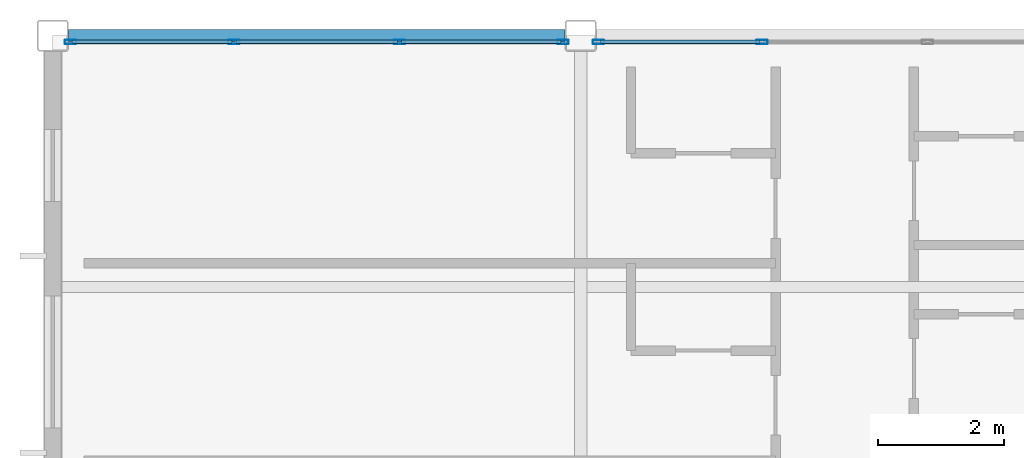
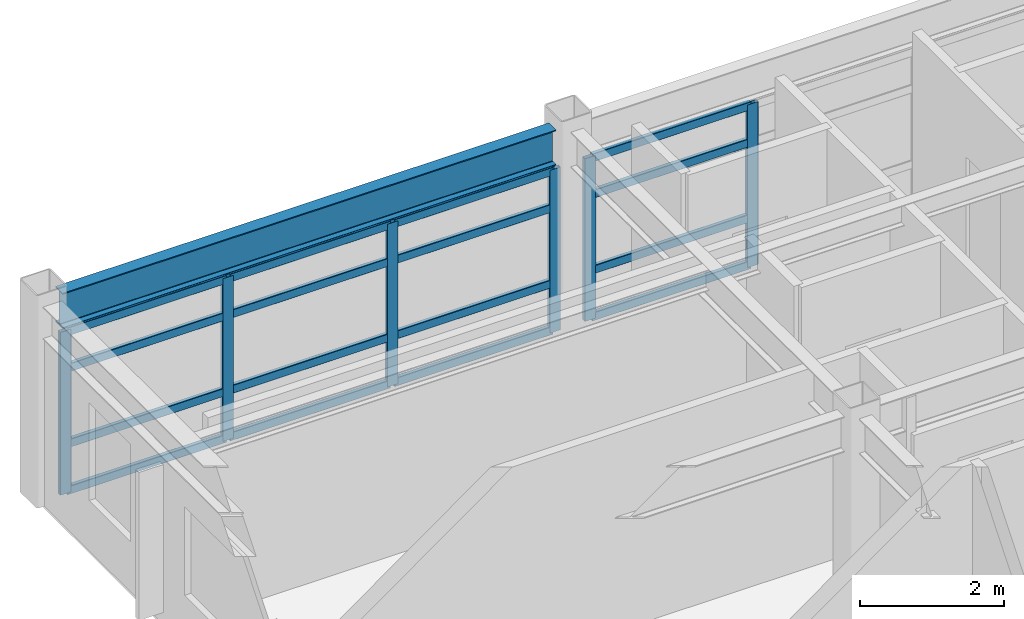
# One storey, part 18 of 35: 22 members, 1 beam, 2 elements without a shape of their own.
"""IFC4 building model written with IfcOpenShell, lengths in metres."""

import ifcopenshell
import ifcopenshell.guid

model = None  # the IFC model being written
_history = None  # IfcOwnerHistory: only IFC2X3 demands one
_inside = {}  # id of a spatial element -> (the spatial element, [elements in it])
_under = {}  # id of a project, library or spatial element -> (it, [spatial elements below it])
_declared = {}  # id of a project -> (the project, [libraries it declares])
_typed = {}  # id of a type object -> (the type object, [elements of that type])
_made_of = {}  # id of a material, layer set ... -> (it, [elements and type objects made of it])


def new_model(schema):
    """Start an empty IFC model of exactly this schema.

    Asked for "IFC4X3", IfcOpenShell would pick the latest addendum, in which some entities
    have other attributes; the version numbers below select the first issue.
    IFC2X3 requires an IfcOwnerHistory on every rooted entity: one is made here for all.
    """
    global model, _history
    if schema == "IFC4X3":
        model = ifcopenshell.file(schema_version=(4, 3, 0, 0))
    else:
        model = ifcopenshell.file(schema=schema)
    _inside.clear()
    _under.clear()
    _declared.clear()
    _typed.clear()
    _made_of.clear()
    _history = None
    if model.schema == "IFC2X3":
        org = make("IfcOrganization", Name="unknown")
        user = make(
            "IfcPersonAndOrganization",
            ThePerson=make("IfcPerson", FamilyName="unknown"),
            TheOrganization=org,
        )
        app = make(
            "IfcApplication",
            ApplicationDeveloper=org,
            Version="unknown",
            ApplicationFullName="unknown",
            ApplicationIdentifier="unknown",
        )
        _history = make(
            "IfcOwnerHistory",
            OwningUser=user,
            OwningApplication=app,
            ChangeAction="ADDED",
            CreationDate=0,
        )
    return model


def make(cls, **values):
    """One entity of the class cls with the attributes given. An attribute that is None is left unset."""
    return model.create_entity(
        cls, **{name: value for name, value in values.items() if value is not None}
    )


def rooted(cls, **values):
    """An entity with a GlobalId (a new one), such as an element, a storey or a relation."""
    return make(cls, GlobalId=ifcopenshell.guid.new(), OwnerHistory=_history, **values)


def si_unit(unit_type, name, prefix=None):
    """IfcSIUnit, for example si_unit("LENGTHUNIT", "METRE", prefix="MILLI")."""
    return make("IfcSIUnit", UnitType=unit_type, Prefix=prefix, Name=name)


def assignment(units):
    """IfcUnitAssignment: the units of a project."""
    return None if units is None else make("IfcUnitAssignment", Units=units)


def point(xyz):
    """IfcCartesianPoint."""
    return None if xyz is None else make("IfcCartesianPoint", Coordinates=xyz)


def direction(xyz):
    """IfcDirection."""
    return None if xyz is None else make("IfcDirection", DirectionRatios=xyz)


def frame(location, z_axis=None, x_axis=None):
    """IfcAxis2Placement3D, a coordinate frame: its origin and axes. An axis left out is left unset."""
    return make(
        "IfcAxis2Placement3D",
        Location=point(location),
        Axis=direction(z_axis),
        RefDirection=direction(x_axis),
    )


def frame_2d(location, x_axis=None):
    """IfcAxis2Placement2D, a coordinate frame in the plane: its origin and x axis."""
    return make(
        "IfcAxis2Placement2D", Location=point(location), RefDirection=direction(x_axis)
    )


def origin():
    """The frame at (0, 0, 0) with its axes left unset."""
    return frame((0.0, 0.0, 0.0))


def origin_2d():
    """The frame at (0, 0) in the plane with its x axis left unset."""
    return frame_2d((0.0, 0.0))


def place(relative_to, where):
    """IfcLocalPlacement: puts the frame where relative to a parent placement (None: the world)."""
    return make(
        "IfcLocalPlacement", PlacementRelTo=relative_to, RelativePlacement=where
    )


def context(
    kind, dimensions, precision=None, world=None, true_north=None, identifier=None
):
    """IfcGeometricRepresentationContext, for example the 3D "Model" context."""
    return make(
        "IfcGeometricRepresentationContext",
        ContextIdentifier=identifier,
        ContextType=kind,
        CoordinateSpaceDimension=dimensions,
        Precision=precision,
        WorldCoordinateSystem=world,
        TrueNorth=true_north,
    )


def subcontext(parent, identifier, kind, view, scale=None):
    """IfcGeometricRepresentationSubContext, for example "Body" below "Model"."""
    return make(
        "IfcGeometricRepresentationSubContext",
        ContextIdentifier=identifier,
        ContextType=kind,
        ParentContext=parent,
        TargetScale=scale,
        TargetView=view,
    )


def project(units=None, contexts=None):
    """IfcProject with its units and contexts."""
    return rooted(
        "IfcProject",
        Name="project",
        RepresentationContexts=contexts,
        UnitsInContext=assignment(units),
    )


def spatial(cls, under=None, at=None, **own):
    """A site, building, storey or space (cls), placed at a placement, below another one or the project."""
    s = rooted(cls, ObjectPlacement=at, **own)
    if under is not None:
        _under.setdefault(under.id(), (under, []))[1].append(s)
    return s


def profile(cls, at=None, kind="AREA", **sizes):
    """A parametric profile (cls). Its sizes go by their IFC names, for example OverallWidth=200.0."""
    return make(cls, ProfileType=kind, Position=at, **sizes)


def hollow_rectangle(**sizes):
    """IfcRectangleHollowProfileDef."""
    return profile("IfcRectangleHollowProfileDef", **sizes)


def i_section(**sizes):
    """IfcIShapeProfileDef."""
    return profile("IfcIShapeProfileDef", **sizes)


def extrude(swept, where, along, depth):
    """IfcExtrudedAreaSolid: the profile swept, set in the frame where, extruded along a direction by depth."""
    return make(
        "IfcExtrudedAreaSolid",
        SweptArea=swept,
        Position=where,
        ExtrudedDirection=direction(along),
        Depth=depth,
    )


def shape(context_of_items, identifier, shape_type, items):
    """IfcShapeRepresentation: the items that make up one representation, for example the "Body"."""
    return make(
        "IfcShapeRepresentation",
        ContextOfItems=context_of_items,
        RepresentationIdentifier=identifier,
        RepresentationType=shape_type,
        Items=items,
    )


def material(Name=None, Category=None):
    """IfcMaterial."""
    return make("IfcMaterial", Name=Name, Category=Category)


def layer(
    of_material, thickness, ventilated=None, Name=None, Category=None, Priority=None
):
    """IfcMaterialLayer: one layer of a wall or slab, of a material (None: an air gap)."""
    return make(
        "IfcMaterialLayer",
        Material=of_material,
        LayerThickness=thickness,
        IsVentilated=ventilated,
        Name=Name,
        Category=Category,
        Priority=Priority,
    )


def layer_set(layers, Name=None):
    """IfcMaterialLayerSet."""
    return make("IfcMaterialLayerSet", MaterialLayers=layers, LayerSetName=Name)


def material_profile(
    of_material, cross_section, Name=None, Category=None, Priority=None
):
    """IfcMaterialProfile: a cross section and its material."""
    return make(
        "IfcMaterialProfile",
        Name=Name,
        Material=of_material,
        Profile=cross_section,
        Priority=Priority,
        Category=Category,
    )


def profile_set(profiles, Name=None, composite=None):
    """IfcMaterialProfileSet."""
    return make(
        "IfcMaterialProfileSet",
        Name=Name,
        MaterialProfiles=profiles,
        CompositeProfile=composite,
    )


def made_of(thing, what):
    """Note that an element or type object is made of a material, layer set ...; save() writes the relation."""
    if what is not None:
        _made_of.setdefault(what.id(), (what, []))[1].append(thing)
    return thing


def type_object(cls, material=None, **own):
    """A type object (cls), such as IfcWallType, which elements share."""
    return made_of(rooted(cls, **own), material)


def element(
    cls,
    number,
    at=None,
    inside=None,
    cuts=None,
    type_object=None,
    material=None,
    context=None,
    identifier="Body",
    shape_type=None,
    held_by="IfcProductDefinitionShape",
    body=None,
    shapes=None,
    **own,
):
    """One element of the class cls, such as IfcWall. Its Tag is "e" and its number.

    at: its placement. inside: the storey or other place that contains it. cuts: it is an
    opening in that element (IfcRelVoidsElement). A single representation is given by context,
    identifier, shape_type and body (its items); several are given by shapes. held_by: the class
    of the entity that holds the representations. save() writes the other relations.
    """
    e = rooted(cls, Tag="e%d" % number, ObjectPlacement=at, **own)
    if body is not None:
        shapes = [shape(context, identifier, shape_type, body)]
    if shapes is not None:
        e.Representation = make(held_by, Representations=shapes)
    if inside is not None:
        _inside.setdefault(inside.id(), (inside, []))[1].append(e)
    if cuts is not None:
        rooted(
            "IfcRelVoidsElement", RelatingBuildingElement=cuts, RelatedOpeningElement=e
        )
    if type_object is not None:
        _typed.setdefault(type_object.id(), (type_object, []))[1].append(e)
    return made_of(e, material)


def aggregate(whole, parts):
    """IfcRelAggregates: a whole, such as a stair, and the parts it consists of."""
    return rooted("IfcRelAggregates", RelatingObject=whole, RelatedObjects=parts)


def save(model, path):
    """Write the relations noted so far, then the file.

    IfcRelAggregates (storeys below a building ...), IfcRelContainedInSpatialStructure (elements
    in a storey), IfcRelDefinesByType, IfcRelAssociatesMaterial and IfcRelDeclares: one each for
    every whole, place, type object, material and project.
    """
    for whole, parts in _under.values():
        aggregate(whole, parts)
    for where, things in _inside.values():
        rooted(
            "IfcRelContainedInSpatialStructure",
            RelatedElements=things,
            RelatingStructure=where,
        )
    for kind, things in _typed.values():
        rooted("IfcRelDefinesByType", RelatedObjects=things, RelatingType=kind)
    for what, things in _made_of.values():
        rooted("IfcRelAssociatesMaterial", RelatedObjects=things, RelatingMaterial=what)
    for by, libraries in _declared.values():
        rooted("IfcRelDeclares", RelatingContext=by, RelatedDefinitions=libraries)
    model.write(path)


model = new_model("IFC4")

# Units and contexts
model_context = context("Model", 3, precision=1e-05, world=origin(), true_north=direction((0.0, 1.0)))
body_context = subcontext(model_context, "Body", "Model", "MODEL_VIEW")
ifc_project = project(units=[si_unit("LENGTHUNIT", "METRE"), si_unit("AREAUNIT", "SQUARE_METRE"), si_unit("VOLUMEUNIT", "CUBIC_METRE"), si_unit("PLANEANGLEUNIT", "RADIAN"), si_unit("MASSUNIT", "GRAM", prefix="KILO")], contexts=[model_context])

# Site, building, storey
site_placement = place(None, origin())
site = spatial("IfcSite", under=ifc_project, at=site_placement, CompositionType="ELEMENT")
building_placement = place(site_placement, origin())
building = spatial("IfcBuilding", under=site, at=building_placement, Name="Kazehara Bluff Congress Hotel", CompositionType="ELEMENT")
storey_placement = place(building_placement, frame((0.0, 0.0, 35.39990234375)))
storey = spatial("IfcBuildingStorey", under=building, at=storey_placement, Name="L08", CompositionType="ELEMENT", Elevation=35.39990234375)

# Curtain wall, members
ifc_material_1 = material(Name="Anodised aluminium", Category="aluminium")
ifc_layer = layer(ifc_material_1, 0.159912109375)
ifc_layer_set = layer_set([ifc_layer], Name="Anodised aluminium")
curtain_wall_type = type_object("IfcCurtainWallType", Name="TP-CW-185", PredefinedType="NOTDEFINED", material=ifc_layer_set)
curtain_wall_1_placement = place(storey_placement, origin())
curtain_wall_1 = element("IfcCurtainWall", 1, at=curtain_wall_1_placement, inside=storey, type_object=curtain_wall_type, Name="L08 curtain wall CW-185 CW-ENC-V5-L08-14790-9680", PredefinedType="NOTDEFINED")
ifc_material_2 = material(Name="Anodised aluminium", Category="aluminium")
ifc_material_profile_1 = material_profile(ifc_material_2, hollow_rectangle(XDim=0.06494140625, YDim=0.179931640625, WallThickness=0.00390625, InnerFilletRadius=0.00390625, OuterFilletRadius=0.008056640625, at=origin_2d()))
ifc_profile_set_1 = profile_set([ifc_material_profile_1], Name="Anodised aluminium")
member_type_1 = type_object("IfcMemberType", Name="TP-CWM-02", PredefinedType="MULLION", material=ifc_profile_set_1)
member_1_placement = place(storey_placement, frame((143.982421875, 96.800048828125, 0.0), z_axis=(0.0, 0.0, 1.0), x_axis=(0.0, 1.0, 0.0)))
member_1 = element("IfcMember", 2, at=member_1_placement, type_object=member_type_1, Name="CW-185 mullion 1", PredefinedType="MULLION", context=body_context, shape_type="SweptSolid", body=[
    extrude(hollow_rectangle(XDim=0.06494140625, YDim=0.179931640625, WallThickness=0.00390625, InnerFilletRadius=0.00390625, OuterFilletRadius=0.008056640625, at=origin_2d()), origin(), (0.0, 0.0, 1.0), 2.755126953125),
])
member_2_placement = place(storey_placement, frame((146.583251953125, 96.800048828125, 0.0), z_axis=(0.0, 0.0, 1.0), x_axis=(0.0, 1.0, 0.0)))
member_2 = element("IfcMember", 3, at=member_2_placement, type_object=member_type_1, Name="CW-185 mullion 2", PredefinedType="MULLION", context=body_context, shape_type="SweptSolid", body=[
    extrude(hollow_rectangle(XDim=0.06494140625, YDim=0.179931640625, WallThickness=0.00390625, InnerFilletRadius=0.00390625, OuterFilletRadius=0.008056640625, at=origin_2d()), origin(), (0.0, 0.0, 1.0), 2.755126953125),
])
member_3_placement = place(storey_placement, frame((149.216552734375, 96.800048828125, 0.0), z_axis=(0.0, 0.0, 1.0), x_axis=(0.0, 1.0, 0.0)))
member_3 = element("IfcMember", 4, at=member_3_placement, type_object=member_type_1, Name="CW-185 mullion 3", PredefinedType="MULLION", context=body_context, shape_type="SweptSolid", body=[
    extrude(hollow_rectangle(XDim=0.06494140625, YDim=0.179931640625, WallThickness=0.00390625, InnerFilletRadius=0.00390625, OuterFilletRadius=0.008056640625, at=origin_2d()), origin(), (0.0, 0.0, 1.0), 2.755126953125),
])
member_4_placement = place(storey_placement, frame((151.8173828125, 96.800048828125, 0.0), z_axis=(0.0, 0.0, 1.0), x_axis=(0.0, 1.0, 0.0)))
member_4 = element("IfcMember", 5, at=member_4_placement, type_object=member_type_1, Name="CW-185 mullion 4", PredefinedType="MULLION", context=body_context, shape_type="SweptSolid", body=[
    extrude(hollow_rectangle(XDim=0.06494140625, YDim=0.179931640625, WallThickness=0.00390625, InnerFilletRadius=0.00390625, OuterFilletRadius=0.008056640625, at=origin_2d()), origin(), (0.0, 0.0, 1.0), 2.755126953125),
])

curtain_wall_2_placement = place(storey_placement, origin())
curtain_wall_2 = element("IfcCurtainWall", 6, at=curtain_wall_2_placement, inside=storey, type_object=curtain_wall_type, Name="L08 curtain wall CW-185 CW-ENC-V5-L08-15630-9680", PredefinedType="NOTDEFINED")
member_5_placement = place(storey_placement, frame((152.382568359375, 96.800048828125, 0.0), z_axis=(0.0, 0.0, 1.0), x_axis=(0.0, 1.0, 0.0)))
member_5 = element("IfcMember", 7, at=member_5_placement, type_object=member_type_1, Name="CW-185 mullion 1", PredefinedType="MULLION", context=body_context, shape_type="SweptSolid", body=[
    extrude(hollow_rectangle(XDim=0.06494140625, YDim=0.179931640625, WallThickness=0.00390625, InnerFilletRadius=0.00390625, OuterFilletRadius=0.008056640625, at=origin_2d()), origin(), (0.0, 0.0, 1.0), 2.755126953125),
])
member_6_placement = place(storey_placement, frame((154.9833984375, 96.800048828125, 0.0), z_axis=(0.0, 0.0, 1.0), x_axis=(0.0, 1.0, 0.0)))
member_6 = element("IfcMember", 8, at=member_6_placement, type_object=member_type_1, Name="CW-185 mullion 2", PredefinedType="MULLION", context=body_context, shape_type="SweptSolid", body=[
    extrude(hollow_rectangle(XDim=0.06494140625, YDim=0.179931640625, WallThickness=0.00390625, InnerFilletRadius=0.00390625, OuterFilletRadius=0.008056640625, at=origin_2d()), origin(), (0.0, 0.0, 1.0), 2.755126953125),
])

# Member
ifc_material_3 = material(Name="Anodised aluminium", Category="aluminium")
ifc_material_profile_2 = material_profile(ifc_material_3, hollow_rectangle(XDim=0.06494140625, YDim=0.139892578125, WallThickness=0.00390625, InnerFilletRadius=0.00390625, OuterFilletRadius=0.008056640625, at=origin_2d()))
ifc_profile_set_2 = profile_set([ifc_material_profile_2], Name="Anodised aluminium")
member_type_2 = type_object("IfcMemberType", Name="TP-CWT-02", PredefinedType="USERDEFINED", material=ifc_profile_set_2)
member_7_placement = place(storey_placement, frame((144.014892578125, 96.800048828125, 0.03271484375), z_axis=(1.0, 0.0, 0.0), x_axis=(0.0, 1.0, 0.0)))
member_7 = element("IfcMember", 9, at=member_7_placement, type_object=member_type_2, Name="CW-185 transom 1.1", ObjectType="TRANSOM", PredefinedType="USERDEFINED", context=body_context, shape_type="SweptSolid", body=[
    extrude(hollow_rectangle(XDim=0.06494140625, YDim=0.139892578125, WallThickness=0.00390625, InnerFilletRadius=0.00390625, OuterFilletRadius=0.008056640625, at=origin_2d()), origin(), (0.0, 0.0, 1.0), 2.535888671875),
])

member_8_placement = place(storey_placement, frame((144.014892578125, 96.800048828125, 0.8251953125), z_axis=(1.0, 0.0, 0.0), x_axis=(0.0, 1.0, 0.0)))
member_8 = element("IfcMember", 10, at=member_8_placement, type_object=member_type_2, Name="CW-185 transom 1.2", ObjectType="TRANSOM", PredefinedType="USERDEFINED", context=body_context, shape_type="SweptSolid", body=[
    extrude(hollow_rectangle(XDim=0.06494140625, YDim=0.139892578125, WallThickness=0.00390625, InnerFilletRadius=0.00390625, OuterFilletRadius=0.008056640625, at=origin_2d()), origin(), (0.0, 0.0, 1.0), 2.535888671875),
])

member_9_placement = place(storey_placement, frame((144.014892578125, 96.800048828125, 2.10498046875), z_axis=(1.0, 0.0, 0.0), x_axis=(0.0, 1.0, 0.0)))
member_9 = element("IfcMember", 11, at=member_9_placement, type_object=member_type_2, Name="CW-185 transom 1.3", ObjectType="TRANSOM", PredefinedType="USERDEFINED", context=body_context, shape_type="SweptSolid", body=[
    extrude(hollow_rectangle(XDim=0.06494140625, YDim=0.139892578125, WallThickness=0.00390625, InnerFilletRadius=0.00390625, OuterFilletRadius=0.008056640625, at=origin_2d()), origin(), (0.0, 0.0, 1.0), 2.535888671875),
])

member_10_placement = place(storey_placement, frame((144.014892578125, 96.800048828125, 2.72265625), z_axis=(1.0, 0.0, 0.0), x_axis=(0.0, 1.0, 0.0)))
member_10 = element("IfcMember", 12, at=member_10_placement, type_object=member_type_2, Name="CW-185 transom 1.4", ObjectType="TRANSOM", PredefinedType="USERDEFINED", context=body_context, shape_type="SweptSolid", body=[
    extrude(hollow_rectangle(XDim=0.06494140625, YDim=0.139892578125, WallThickness=0.00390625, InnerFilletRadius=0.00390625, OuterFilletRadius=0.008056640625, at=origin_2d()), origin(), (0.0, 0.0, 1.0), 2.535888671875),
])

member_11_placement = place(storey_placement, frame((146.61572265625, 96.800048828125, 0.03271484375), z_axis=(1.0, 0.0, 0.0), x_axis=(0.0, 1.0, 0.0)))
member_11 = element("IfcMember", 13, at=member_11_placement, type_object=member_type_2, Name="CW-185 transom 2.1", ObjectType="TRANSOM", PredefinedType="USERDEFINED", context=body_context, shape_type="SweptSolid", body=[
    extrude(hollow_rectangle(XDim=0.06494140625, YDim=0.139892578125, WallThickness=0.00390625, InnerFilletRadius=0.00390625, OuterFilletRadius=0.008056640625, at=origin_2d()), origin(), (0.0, 0.0, 1.0), 2.568359375),
])

member_12_placement = place(storey_placement, frame((146.61572265625, 96.800048828125, 0.8251953125), z_axis=(1.0, 0.0, 0.0), x_axis=(0.0, 1.0, 0.0)))
member_12 = element("IfcMember", 14, at=member_12_placement, type_object=member_type_2, Name="CW-185 transom 2.2", ObjectType="TRANSOM", PredefinedType="USERDEFINED", context=body_context, shape_type="SweptSolid", body=[
    extrude(hollow_rectangle(XDim=0.06494140625, YDim=0.139892578125, WallThickness=0.00390625, InnerFilletRadius=0.00390625, OuterFilletRadius=0.008056640625, at=origin_2d()), origin(), (0.0, 0.0, 1.0), 2.568359375),
])

member_13_placement = place(storey_placement, frame((146.61572265625, 96.800048828125, 2.10498046875), z_axis=(1.0, 0.0, 0.0), x_axis=(0.0, 1.0, 0.0)))
member_13 = element("IfcMember", 15, at=member_13_placement, type_object=member_type_2, Name="CW-185 transom 2.3", ObjectType="TRANSOM", PredefinedType="USERDEFINED", context=body_context, shape_type="SweptSolid", body=[
    extrude(hollow_rectangle(XDim=0.06494140625, YDim=0.139892578125, WallThickness=0.00390625, InnerFilletRadius=0.00390625, OuterFilletRadius=0.008056640625, at=origin_2d()), origin(), (0.0, 0.0, 1.0), 2.568359375),
])

member_14_placement = place(storey_placement, frame((146.61572265625, 96.800048828125, 2.72265625), z_axis=(1.0, 0.0, 0.0), x_axis=(0.0, 1.0, 0.0)))
member_14 = element("IfcMember", 16, at=member_14_placement, type_object=member_type_2, Name="CW-185 transom 2.4", ObjectType="TRANSOM", PredefinedType="USERDEFINED", context=body_context, shape_type="SweptSolid", body=[
    extrude(hollow_rectangle(XDim=0.06494140625, YDim=0.139892578125, WallThickness=0.00390625, InnerFilletRadius=0.00390625, OuterFilletRadius=0.008056640625, at=origin_2d()), origin(), (0.0, 0.0, 1.0), 2.568359375),
])

member_15_placement = place(storey_placement, frame((149.249267578125, 96.800048828125, 0.03271484375), z_axis=(1.0, 0.0, 0.0), x_axis=(0.0, 1.0, 0.0)))
member_15 = element("IfcMember", 17, at=member_15_placement, type_object=member_type_2, Name="CW-185 transom 3.1", ObjectType="TRANSOM", PredefinedType="USERDEFINED", context=body_context, shape_type="SweptSolid", body=[
    extrude(hollow_rectangle(XDim=0.06494140625, YDim=0.139892578125, WallThickness=0.00390625, InnerFilletRadius=0.00390625, OuterFilletRadius=0.008056640625, at=origin_2d()), origin(), (0.0, 0.0, 1.0), 2.53564453125),
])

member_16_placement = place(storey_placement, frame((149.249267578125, 96.800048828125, 0.8251953125), z_axis=(1.0, 0.0, 0.0), x_axis=(0.0, 1.0, 0.0)))
member_16 = element("IfcMember", 18, at=member_16_placement, type_object=member_type_2, Name="CW-185 transom 3.2", ObjectType="TRANSOM", PredefinedType="USERDEFINED", context=body_context, shape_type="SweptSolid", body=[
    extrude(hollow_rectangle(XDim=0.06494140625, YDim=0.139892578125, WallThickness=0.00390625, InnerFilletRadius=0.00390625, OuterFilletRadius=0.008056640625, at=origin_2d()), origin(), (0.0, 0.0, 1.0), 2.53564453125),
])

member_17_placement = place(storey_placement, frame((149.249267578125, 96.800048828125, 2.10498046875), z_axis=(1.0, 0.0, 0.0), x_axis=(0.0, 1.0, 0.0)))
member_17 = element("IfcMember", 19, at=member_17_placement, type_object=member_type_2, Name="CW-185 transom 3.3", ObjectType="TRANSOM", PredefinedType="USERDEFINED", context=body_context, shape_type="SweptSolid", body=[
    extrude(hollow_rectangle(XDim=0.06494140625, YDim=0.139892578125, WallThickness=0.00390625, InnerFilletRadius=0.00390625, OuterFilletRadius=0.008056640625, at=origin_2d()), origin(), (0.0, 0.0, 1.0), 2.53564453125),
])

member_18_placement = place(storey_placement, frame((149.249267578125, 96.800048828125, 2.72265625), z_axis=(1.0, 0.0, 0.0), x_axis=(0.0, 1.0, 0.0)))
member_18 = element("IfcMember", 20, at=member_18_placement, type_object=member_type_2, Name="CW-185 transom 3.4", ObjectType="TRANSOM", PredefinedType="USERDEFINED", context=body_context, shape_type="SweptSolid", body=[
    extrude(hollow_rectangle(XDim=0.06494140625, YDim=0.139892578125, WallThickness=0.00390625, InnerFilletRadius=0.00390625, OuterFilletRadius=0.008056640625, at=origin_2d()), origin(), (0.0, 0.0, 1.0), 2.53564453125),
])

aggregate(curtain_wall_1, [member_1, member_2, member_3, member_4, member_7, member_8, member_9, member_10, member_11, member_12, member_13, member_14, member_15, member_16, member_17, member_18])

member_19_placement = place(storey_placement, frame((152.4150390625, 96.800048828125, 0.03271484375), z_axis=(1.0, 0.0, 0.0), x_axis=(0.0, 1.0, 0.0)))
member_19 = element("IfcMember", 21, at=member_19_placement, type_object=member_type_2, Name="CW-185 transom 1.1", ObjectType="TRANSOM", PredefinedType="USERDEFINED", context=body_context, shape_type="SweptSolid", body=[
    extrude(hollow_rectangle(XDim=0.06494140625, YDim=0.139892578125, WallThickness=0.00390625, InnerFilletRadius=0.00390625, OuterFilletRadius=0.008056640625, at=origin_2d()), origin(), (0.0, 0.0, 1.0), 2.535888671875),
])

member_20_placement = place(storey_placement, frame((152.4150390625, 96.800048828125, 0.8251953125), z_axis=(1.0, 0.0, 0.0), x_axis=(0.0, 1.0, 0.0)))
member_20 = element("IfcMember", 22, at=member_20_placement, type_object=member_type_2, Name="CW-185 transom 1.2", ObjectType="TRANSOM", PredefinedType="USERDEFINED", context=body_context, shape_type="SweptSolid", body=[
    extrude(hollow_rectangle(XDim=0.06494140625, YDim=0.139892578125, WallThickness=0.00390625, InnerFilletRadius=0.00390625, OuterFilletRadius=0.008056640625, at=origin_2d()), origin(), (0.0, 0.0, 1.0), 2.535888671875),
])

member_21_placement = place(storey_placement, frame((152.4150390625, 96.800048828125, 2.10498046875), z_axis=(1.0, 0.0, 0.0), x_axis=(0.0, 1.0, 0.0)))
member_21 = element("IfcMember", 23, at=member_21_placement, type_object=member_type_2, Name="CW-185 transom 1.3", ObjectType="TRANSOM", PredefinedType="USERDEFINED", context=body_context, shape_type="SweptSolid", body=[
    extrude(hollow_rectangle(XDim=0.06494140625, YDim=0.139892578125, WallThickness=0.00390625, InnerFilletRadius=0.00390625, OuterFilletRadius=0.008056640625, at=origin_2d()), origin(), (0.0, 0.0, 1.0), 2.535888671875),
])

member_22_placement = place(storey_placement, frame((152.4150390625, 96.800048828125, 2.72265625), z_axis=(1.0, 0.0, 0.0), x_axis=(0.0, 1.0, 0.0)))
member_22 = element("IfcMember", 24, at=member_22_placement, type_object=member_type_2, Name="CW-185 transom 1.4", ObjectType="TRANSOM", PredefinedType="USERDEFINED", context=body_context, shape_type="SweptSolid", body=[
    extrude(hollow_rectangle(XDim=0.06494140625, YDim=0.139892578125, WallThickness=0.00390625, InnerFilletRadius=0.00390625, OuterFilletRadius=0.008056640625, at=origin_2d()), origin(), (0.0, 0.0, 1.0), 2.535888671875),
])

aggregate(curtain_wall_2, [member_5, member_6, member_19, member_20, member_21, member_22])

# Beam
ifc_material_4 = material(Name="Steel SN490B", Category="steel")
ifc_material_profile_3 = material_profile(ifc_material_4, i_section(OverallWidth=0.199951171875, OverallDepth=0.60009765625, WebThickness=0.010986328125, FlangeThickness=0.01708984375, FilletRadius=0.012939453125, at=origin_2d()))
ifc_profile_set_3 = profile_set([ifc_material_profile_3], Name="Steel SN490B")
beam_type = type_object("IfcBeamType", Name="TP-G-02", PredefinedType="BEAM", material=ifc_profile_set_3)
beam_placement = place(storey_placement, frame((143.949951171875, 96.89990234375, 3.080078125), z_axis=(1.0, 0.0, 0.0), x_axis=(0.0, 1.0, 0.0)))
element("IfcBeam", 25, at=beam_placement, inside=storey, type_object=beam_type, Name="L08 girder G-02 65", PredefinedType="BEAM", context=body_context, shape_type="SweptSolid", body=[
    extrude(i_section(OverallWidth=0.199951171875, OverallDepth=0.60009765625, WebThickness=0.010986328125, FlangeThickness=0.01708984375, FilletRadius=0.012939453125, at=origin_2d()), origin(), (0.0, 0.0, 1.0), 7.900146484375),
])

save(model, "model.ifc")
